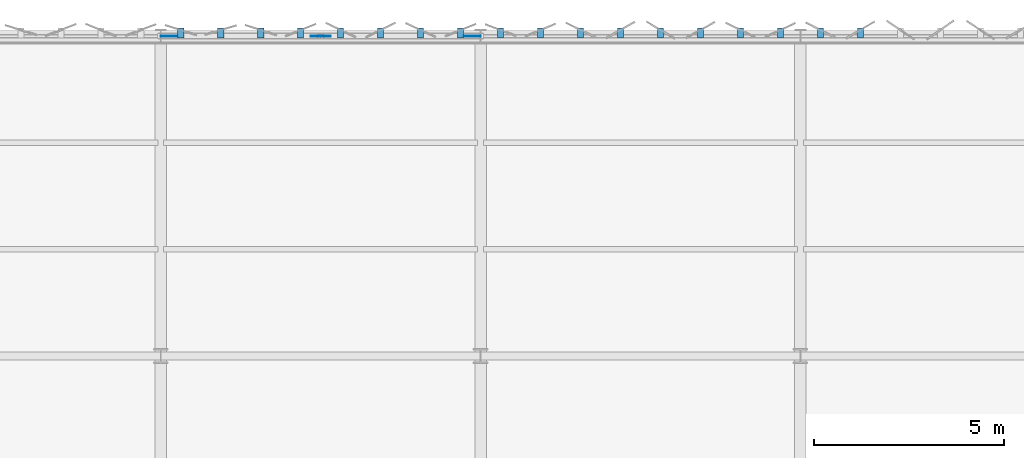
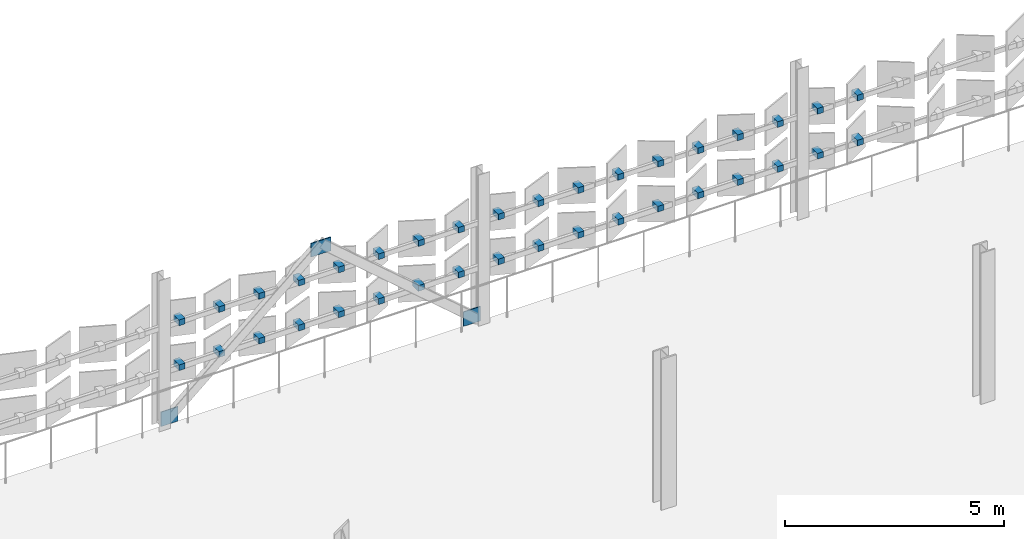
# One storey, part 172 of 184: 39 discrete accessories.
"""IFC4 building model written with IfcOpenShell, lengths in metres."""

from ifc_helpers import new_model, si_unit, direction, frame, origin, origin_2d, place, context, subcontext, project, spatial, rectangle, extrude, material, type_object, element, save


model = new_model("IFC4")

# Units and contexts
model_context = context("Model", 3, precision=1e-05, world=origin(), true_north=direction((0.0, 1.0)))
body_context = subcontext(model_context, "Body", "Model", "MODEL_VIEW")
ifc_project = project(units=[si_unit("LENGTHUNIT", "METRE"), si_unit("AREAUNIT", "SQUARE_METRE"), si_unit("VOLUMEUNIT", "CUBIC_METRE"), si_unit("PLANEANGLEUNIT", "RADIAN"), si_unit("MASSUNIT", "GRAM", prefix="KILO")], contexts=[model_context])

# Site, building, storey
site_placement = place(None, origin())
site = spatial("IfcSite", under=ifc_project, at=site_placement, CompositionType="ELEMENT")
building_placement = place(site_placement, origin())
building = spatial("IfcBuilding", under=site, at=building_placement, Name="Qalvenar Corner Mobility Hub", CompositionType="ELEMENT")
storey_placement = place(building_placement, frame((0.0, 0.0, 9.0)))
storey = spatial("IfcBuildingStorey", under=building, at=storey_placement, Name="L02", CompositionType="ELEMENT", Elevation=9.0)

# Discrete accessories
ifc_material = material(Name="Steel S355", Category="steel")
discrete_accessory_type_1 = type_object("IfcDiscreteAccessoryType", Name="ACC-GUSSET-PLT", PredefinedType="BRACKET", material=ifc_material)
discrete_accessory_placement = place(storey_placement, frame((113.39990234375, 117.60009765625, 3.330078125), z_axis=(0.0, 0.0, 1.0), x_axis=(1.0, 0.0, 0.0)))
element("IfcDiscreteAccessory", 1, at=discrete_accessory_placement, inside=storey, type_object=discrete_accessory_type_1, Name="Chevron Apex Gusset Plate GP-A-049", PredefinedType="BRACKET", context=body_context, shape_type="SweptSolid", body=[
    extrude(rectangle(XDim=0.52001953125, YDim=0.02490234375, at=origin_2d()), origin(), (0.0, 0.0, 1.0), 0.3798828125),
])
for number, where, z_axis, x_axis, name in (
    (2, (109.419921875, 117.60009765625, 0.0), (0.0, 0.0, 1.0), (1.0, 0.0, 0.0), "Brace Base Gusset Plate GP-B-050"),
    (3, (117.3798828125, 117.60009765625, 0.0), (0.0, 0.0, 1.0), (1.0, 0.0, 0.0), "Brace Base Gusset Plate GP-B-051"),
):
    element("IfcDiscreteAccessory", number, at=place(storey_placement, frame(where, z_axis=z_axis, x_axis=x_axis)), inside=storey, type_object=discrete_accessory_type_1, Name=name, PredefinedType="BRACKET", context=body_context, shape_type="SweptSolid", body=[
        extrude(rectangle(XDim=0.449951171875, YDim=0.02490234375, at=origin_2d()), origin(), (0.0, 0.0, 1.0), 0.39990234375),
    ])
discrete_accessory_type_2 = type_object("IfcDiscreteAccessoryType", Name="ACC-HINGE-BRK", PredefinedType="BRACKET", material=ifc_material)
for number, where, z_axis, x_axis, name in (
    (4, (127.574951171875, 117.679931640625, 1.419921875), (0.0, 0.0, 1.0), (-1.0, 0.0, 0.0), "Panel Hinge Bracket BK-L02-0501"),
    (5, (127.574951171875, 117.679931640625, 2.669921875), (0.0, 0.0, 1.0), (-1.0, 0.0, 0.0), "Panel Hinge Bracket BK-L02-0502"),
    (6, (126.52490234375, 117.679931640625, 1.419921875), (0.0, 0.0, 1.0), (-1.0, 0.0, 0.0), "Panel Hinge Bracket BK-L02-0503"),
    (7, (126.52490234375, 117.679931640625, 2.669921875), (0.0, 0.0, 1.0), (-1.0, 0.0, 0.0), "Panel Hinge Bracket BK-L02-0504"),
    (8, (125.47509765625, 117.679931640625, 1.419921875), (0.0, 0.0, 1.0), (-1.0, 0.0, 0.0), "Panel Hinge Bracket BK-L02-0505"),
    (9, (125.47509765625, 117.679931640625, 2.669921875), (0.0, 0.0, 1.0), (-1.0, 0.0, 0.0), "Panel Hinge Bracket BK-L02-0506"),
    (10, (124.425048828125, 117.679931640625, 1.419921875), (0.0, 0.0, 1.0), (-1.0, 0.0, 0.0), "Panel Hinge Bracket BK-L02-0507"),
    (11, (124.425048828125, 117.679931640625, 2.669921875), (0.0, 0.0, 1.0), (-1.0, 0.0, 0.0), "Panel Hinge Bracket BK-L02-0508"),
    (12, (123.375, 117.679931640625, 1.419921875), (0.0, 0.0, 1.0), (-1.0, 0.0, 0.0), "Panel Hinge Bracket BK-L02-0509"),
    (13, (123.375, 117.679931640625, 2.669921875), (0.0, 0.0, 1.0), (-1.0, 0.0, 0.0), "Panel Hinge Bracket BK-L02-0510"),
    (14, (122.324951171875, 117.679931640625, 1.419921875), (0.0, 0.0, 1.0), (-1.0, 0.0, 0.0), "Panel Hinge Bracket BK-L02-0511"),
    (15, (122.324951171875, 117.679931640625, 2.669921875), (0.0, 0.0, 1.0), (-1.0, 0.0, 0.0), "Panel Hinge Bracket BK-L02-0512"),
    (16, (121.27490234375, 117.679931640625, 1.419921875), (0.0, 0.0, 1.0), (-1.0, 0.0, 0.0), "Panel Hinge Bracket BK-L02-0513"),
    (17, (121.27490234375, 117.679931640625, 2.669921875), (0.0, 0.0, 1.0), (-1.0, 0.0, 0.0), "Panel Hinge Bracket BK-L02-0514"),
    (18, (120.22509765625, 117.679931640625, 1.419921875), (0.0, 0.0, 1.0), (-1.0, 0.0, 0.0), "Panel Hinge Bracket BK-L02-0515"),
    (19, (120.22509765625, 117.679931640625, 2.669921875), (0.0, 0.0, 1.0), (-1.0, 0.0, 0.0), "Panel Hinge Bracket BK-L02-0516"),
    (20, (119.175048828125, 117.679931640625, 1.419921875), (0.0, 0.0, 1.0), (-1.0, 0.0, 0.0), "Panel Hinge Bracket BK-L02-0517"),
    (21, (119.175048828125, 117.679931640625, 2.669921875), (0.0, 0.0, 1.0), (-1.0, 0.0, 0.0), "Panel Hinge Bracket BK-L02-0518"),
    (22, (118.125, 117.679931640625, 1.419921875), (0.0, 0.0, 1.0), (-1.0, 0.0, 0.0), "Panel Hinge Bracket BK-L02-0519"),
    (23, (118.125, 117.679931640625, 2.669921875), (0.0, 0.0, 1.0), (-1.0, 0.0, 0.0), "Panel Hinge Bracket BK-L02-0520"),
    (24, (117.074951171875, 117.679931640625, 1.419921875), (0.0, 0.0, 1.0), (-1.0, 0.0, 0.0), "Panel Hinge Bracket BK-L02-0521"),
    (25, (117.074951171875, 117.679931640625, 2.669921875), (0.0, 0.0, 1.0), (-1.0, 0.0, 0.0), "Panel Hinge Bracket BK-L02-0522"),
    (26, (116.02490234375, 117.679931640625, 1.419921875), (0.0, 0.0, 1.0), (-1.0, 0.0, 0.0), "Panel Hinge Bracket BK-L02-0523"),
    (27, (116.02490234375, 117.679931640625, 2.669921875), (0.0, 0.0, 1.0), (-1.0, 0.0, 0.0), "Panel Hinge Bracket BK-L02-0524"),
    (28, (114.97509765625, 117.679931640625, 1.419921875), (0.0, 0.0, 1.0), (-1.0, 0.0, 0.0), "Panel Hinge Bracket BK-L02-0525"),
    (29, (114.97509765625, 117.679931640625, 2.669921875), (0.0, 0.0, 1.0), (-1.0, 0.0, 0.0), "Panel Hinge Bracket BK-L02-0526"),
    (30, (113.925048828125, 117.679931640625, 1.419921875), (0.0, 0.0, 1.0), (-1.0, 0.0, 0.0), "Panel Hinge Bracket BK-L02-0527"),
    (31, (113.925048828125, 117.679931640625, 2.669921875), (0.0, 0.0, 1.0), (-1.0, 0.0, 0.0), "Panel Hinge Bracket BK-L02-0528"),
    (32, (112.875, 117.679931640625, 1.419921875), (0.0, 0.0, 1.0), (-1.0, 0.0, 0.0), "Panel Hinge Bracket BK-L02-0529"),
    (33, (112.875, 117.679931640625, 2.669921875), (0.0, 0.0, 1.0), (-1.0, 0.0, 0.0), "Panel Hinge Bracket BK-L02-0530"),
    (34, (111.824951171875, 117.679931640625, 1.419921875), (0.0, 0.0, 1.0), (-1.0, 0.0, 0.0), "Panel Hinge Bracket BK-L02-0531"),
    (35, (111.824951171875, 117.679931640625, 2.669921875), (0.0, 0.0, 1.0), (-1.0, 0.0, 0.0), "Panel Hinge Bracket BK-L02-0532"),
    (36, (110.77490234375, 117.679931640625, 1.419921875), (0.0, 0.0, 1.0), (-1.0, 0.0, 0.0), "Panel Hinge Bracket BK-L02-0533"),
    (37, (110.77490234375, 117.679931640625, 2.669921875), (0.0, 0.0, 1.0), (-1.0, 0.0, 0.0), "Panel Hinge Bracket BK-L02-0534"),
    (38, (109.72509765625, 117.679931640625, 1.419921875), (0.0, 0.0, 1.0), (-1.0, 0.0, 0.0), "Panel Hinge Bracket BK-L02-0535"),
    (39, (109.72509765625, 117.679931640625, 2.669921875), (0.0, 0.0, 1.0), (-1.0, 0.0, 0.0), "Panel Hinge Bracket BK-L02-0536"),
):
    element("IfcDiscreteAccessory", number, at=place(storey_placement, frame(where, z_axis=z_axis, x_axis=x_axis)), inside=storey, type_object=discrete_accessory_type_2, Name=name, PredefinedType="BRACKET", context=body_context, shape_type="SweptSolid", body=[
        extrude(rectangle(XDim=0.159912109375, YDim=0.260009765625, at=origin_2d()), origin(), (0.0, 0.0, 1.0), 0.159912109375),
    ])

save(model, "model.ifc")
